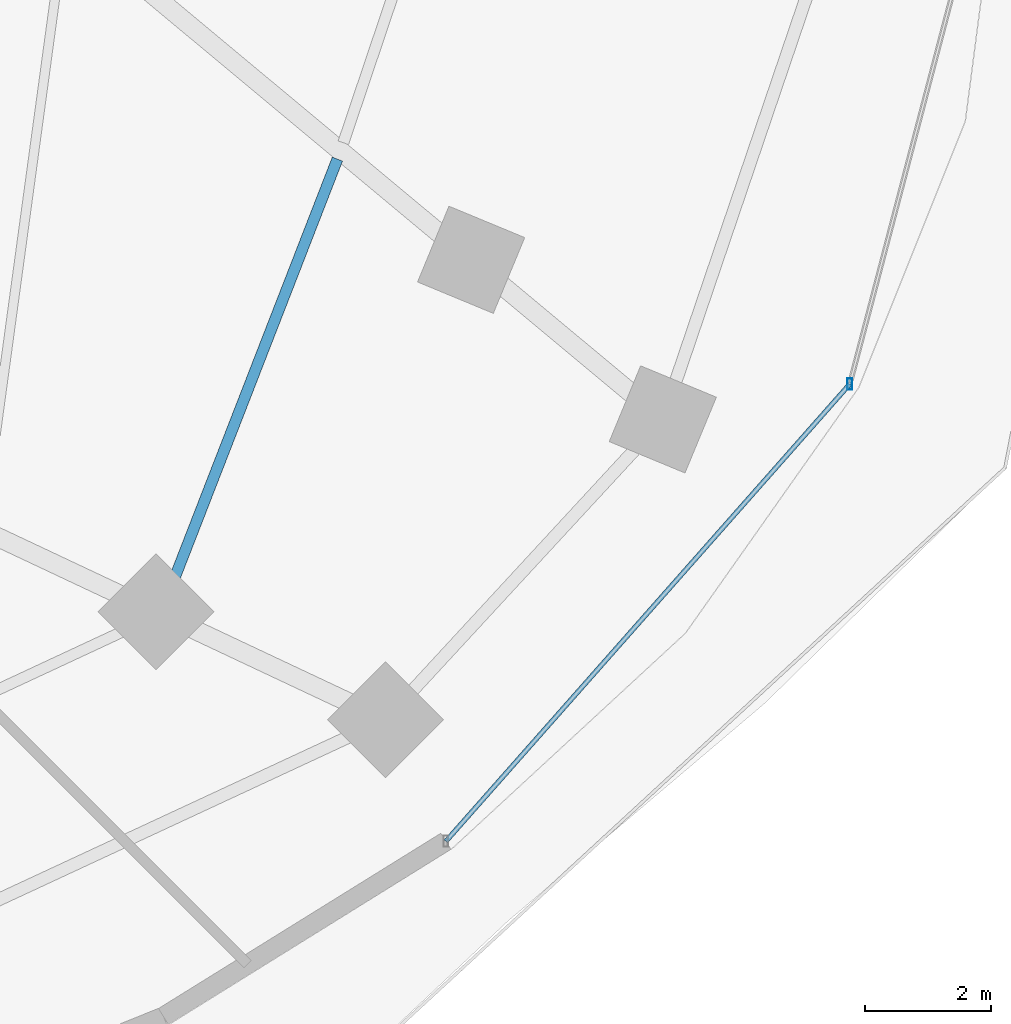
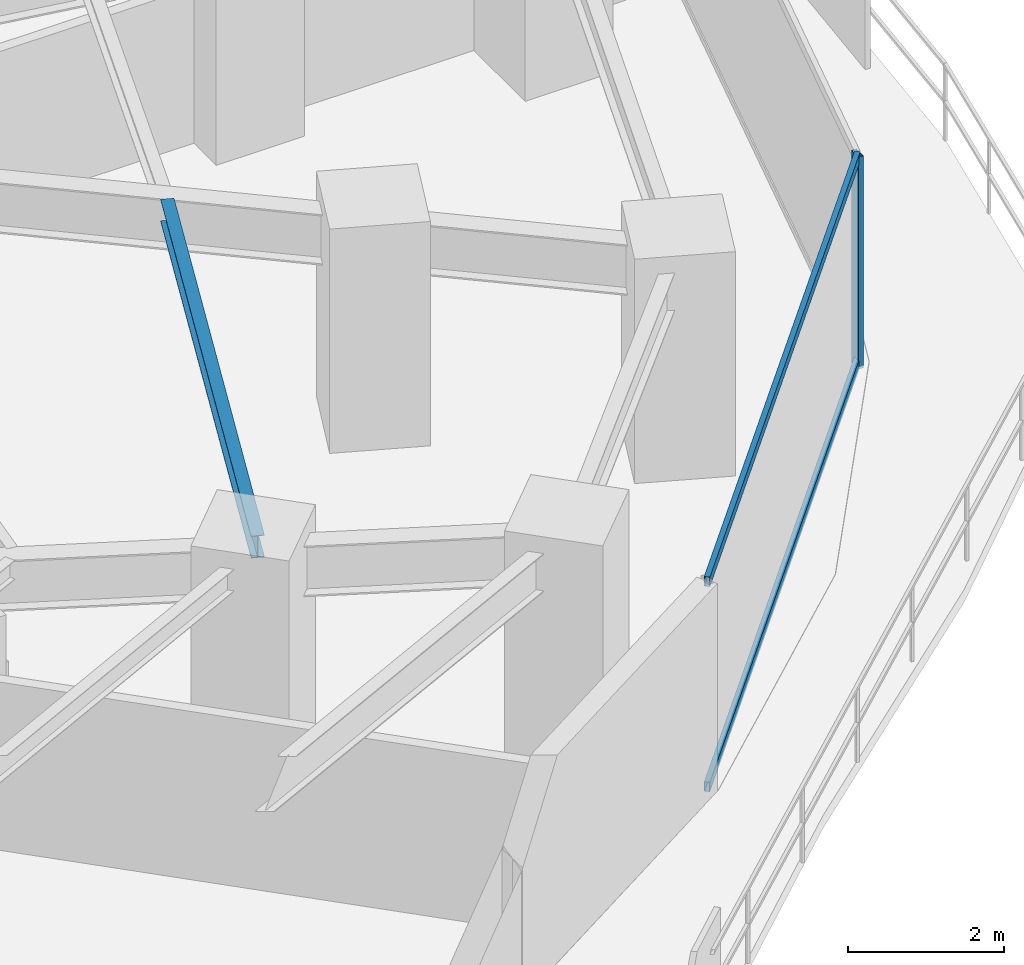
# One storey, part 14 of 36: 3 members, 1 beam, 1 element without a shape of its own.
"""IFC4 building model written with IfcOpenShell, lengths in metres."""

from ifc_helpers import new_model, si_unit, direction, frame, origin, origin_2d, place, context, subcontext, project, spatial, hollow_rectangle, i_section, extrude, material, material_profile, profile_set, type_object, element, aggregate, save


model = new_model("IFC4")

# Units and contexts
model_context = context("Model", 3, precision=1e-05, world=origin(), true_north=direction((0.0, 1.0)))
body_context = subcontext(model_context, "Body", "Model", "MODEL_VIEW")
ifc_project = project(units=[si_unit("LENGTHUNIT", "METRE"), si_unit("AREAUNIT", "SQUARE_METRE"), si_unit("VOLUMEUNIT", "CUBIC_METRE"), si_unit("PLANEANGLEUNIT", "RADIAN"), si_unit("MASSUNIT", "GRAM", prefix="KILO")], contexts=[model_context])

# Site, building, storey
site_placement = place(None, origin())
site = spatial("IfcSite", under=ifc_project, at=site_placement, CompositionType="ELEMENT")
building_placement = place(site_placement, origin())
building = spatial("IfcBuilding", under=site, at=building_placement, Name="Vorneva Point Tower", CompositionType="ELEMENT")
storey_placement = place(building_placement, frame((0.0, 0.0, 24.0)))
storey = spatial("IfcBuildingStorey", under=building, at=storey_placement, Name="L05", CompositionType="ELEMENT", Elevation=24.0)

# Beam
ifc_material_1 = material(Name="Steel S355", Category="steel")
ifc_material_profile_1 = material_profile(ifc_material_1, i_section(OverallWidth=0.174072265625, OverallDepth=0.345947265625, WebThickness=0.006103515625, FlangeThickness=0.009033203125, at=origin_2d()), Name="35B1")
ifc_profile_set_1 = profile_set([ifc_material_profile_1], Name="Steel S355")
beam_type = type_object("IfcBeamType", Name="BM-SEC-35B1", PredefinedType="BEAM", material=ifc_profile_set_1)
beam_placement = place(storey_placement, frame((54.422119140625, 13.931884765625, 3.06689453125), z_axis=(0.36226482906, 0.932075208138, 0.0), x_axis=(-0.932075208138, 0.36226482906, 0.0)))
element("IfcBeam", 1, at=beam_placement, inside=storey, type_object=beam_type, Name="L05 Secondary Floor Beam 1.15", PredefinedType="BEAM", context=body_context, shape_type="SweptSolid", body=[
    extrude(i_section(OverallWidth=0.174072265625, OverallDepth=0.345947265625, WebThickness=0.006103515625, FlangeThickness=0.009033203125, at=origin_2d()), origin(), (0.0, 0.0, 1.0), 7.597900390625),
])

# Curtain wall, members
ifc_material_2 = material(Name="Pale anodised aluminium", Category="aluminium")
curtain_wall_type = type_object("IfcCurtainWallType", Name="CW-HTL-SYS", PredefinedType="NOTDEFINED", material=ifc_material_2)
curtain_wall_placement = place(storey_placement, origin())
curtain_wall = element("IfcCurtainWall", 2, at=curtain_wall_placement, inside=storey, type_object=curtain_wall_type, Name="L05 Unitised Curtain Wall CW-L05-R01", PredefinedType="NOTDEFINED")
ifc_material_profile_2 = material_profile(ifc_material_2, hollow_rectangle(XDim=0.074951171875, YDim=0.179931640625, WallThickness=0.00390625, at=origin_2d()), Name="AL-MUL 180x75x4")
ifc_profile_set_2 = profile_set([ifc_material_profile_2], Name="Pale anodised aluminium")
member_type_1 = type_object("IfcMemberType", Name="CW-MUL-180", PredefinedType="MULLION", material=ifc_profile_set_2)
member_1_placement = place(storey_placement, frame((65.300537109375, 17.447021484375, -0.0400390625), z_axis=(0.0, 0.0, 1.0), x_axis=(1.0, 0.0, 0.0)))
member_1 = element("IfcMember", 3, at=member_1_placement, type_object=member_type_1, Name="CW-L05-R01 Mullion 02", PredefinedType="MULLION", context=body_context, shape_type="SweptSolid", body=[
    extrude(hollow_rectangle(XDim=0.074951171875, YDim=0.179931640625, WallThickness=0.00390625, at=origin_2d()), origin(), (0.0, 0.0, 1.0), 3.31005859375),
])
ifc_material_profile_3 = material_profile(ifc_material_2, hollow_rectangle(XDim=0.074951171875, YDim=0.14990234375, WallThickness=0.00390625, at=origin_2d()), Name="AL-TRN 150x75x4")
ifc_profile_set_3 = profile_set([ifc_material_profile_3], Name="Pale anodised aluminium")
member_type_2 = type_object("IfcMemberType", Name="CW-TRN-150", PredefinedType="USERDEFINED", material=ifc_profile_set_3)
member_2_placement = place(storey_placement, frame((58.89501953125, 10.1962890625, 0.02001953125), z_axis=(0.662075539029, 0.749437109182, 0.0), x_axis=(-0.749437109182, 0.662075539029, 0.0)))
member_2 = element("IfcMember", 4, at=member_2_placement, type_object=member_type_2, Name="CW-L05-R01 Transom 01.1", ObjectType="TRANSOM", PredefinedType="USERDEFINED", context=body_context, shape_type="SweptSolid", body=[
    extrude(hollow_rectangle(XDim=0.074951171875, YDim=0.14990234375, WallThickness=0.00390625, at=origin_2d()), origin(), (0.0, 0.0, 1.0), 9.6748046875),
])
member_3_placement = place(storey_placement, frame((58.89501953125, 10.1962890625, 3.219970703125), z_axis=(0.662075539029, 0.749437109182, 0.0), x_axis=(-0.749437109182, 0.662075539029, 0.0)))
member_3 = element("IfcMember", 5, at=member_3_placement, type_object=member_type_2, Name="CW-L05-R01 Transom 01.2", ObjectType="TRANSOM", PredefinedType="USERDEFINED", context=body_context, shape_type="SweptSolid", body=[
    extrude(hollow_rectangle(XDim=0.074951171875, YDim=0.14990234375, WallThickness=0.00390625, at=origin_2d()), origin(), (0.0, 0.0, 1.0), 9.6748046875),
])
aggregate(curtain_wall, [member_1, member_2, member_3])

save(model, "model.ifc")
